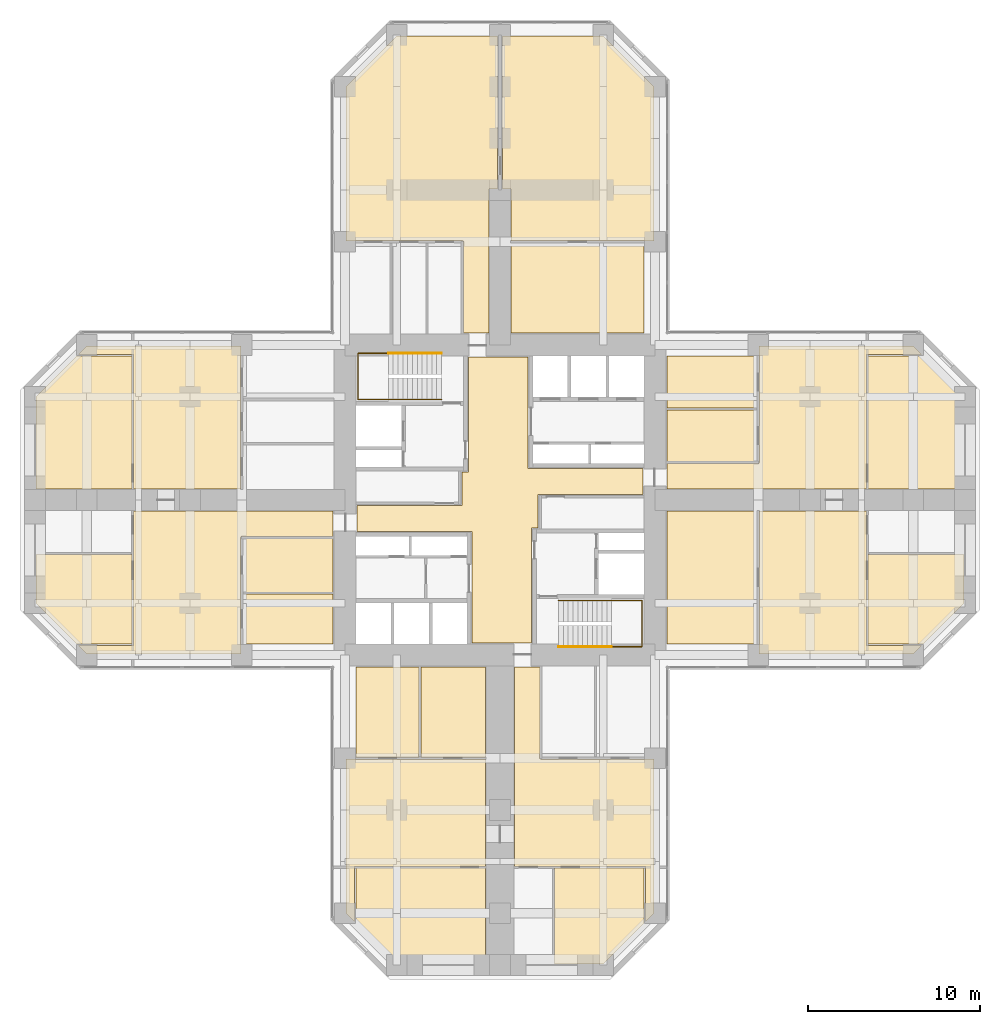
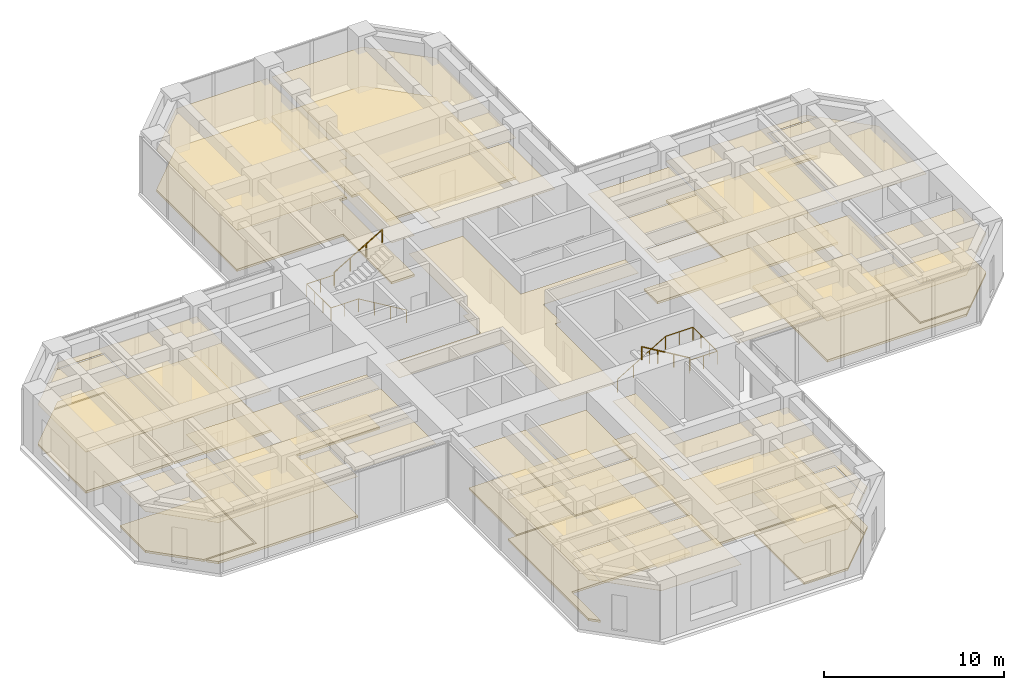
# One storey, part 13 of 13: 37 coverings, 4 railings.
"""IFC4 building model written with IfcOpenShell, lengths in metres."""

from ifc_helpers import new_model, si_unit, direction, frame, origin, origin_2d, place, context, subcontext, project, spatial, polyline, circle, outline, extrude, material, layer, layer_set, constituent, constituent_set, type_object, element, save


model = new_model("IFC4")

# Units and contexts
model_context = context("Model", 3, precision=1e-05, world=origin(), true_north=direction((0.0, 1.0)))
body_context = subcontext(model_context, "Body", "Model", "MODEL_VIEW")
ifc_project = project(units=[si_unit("LENGTHUNIT", "METRE"), si_unit("AREAUNIT", "SQUARE_METRE"), si_unit("VOLUMEUNIT", "CUBIC_METRE"), si_unit("PLANEANGLEUNIT", "RADIAN"), si_unit("MASSUNIT", "GRAM", prefix="KILO")], contexts=[model_context])

# Site, building, storey
site_placement = place(None, origin())
site = spatial("IfcSite", under=ifc_project, at=site_placement, CompositionType="ELEMENT")
building_placement = place(site_placement, origin())
building = spatial("IfcBuilding", under=site, at=building_placement, Name="Torre Cruceta", CompositionType="ELEMENT")
storey_placement = place(building_placement, frame((0.0, 0.0, 51.5)))
storey = spatial("IfcBuildingStorey", under=building, at=storey_placement, Name="L12", CompositionType="ELEMENT", Elevation=51.5)

# Railings
ifc_material_1 = material(Name="Stainless steel 1.4401", Category="steel")
railing_type = type_object("IfcRailingType", Name="HANDRAIL 900", PredefinedType="HANDRAIL", material=ifc_material_1)
railing_1_placement = place(storey_placement, frame((-3.39990234375, 5.8349609375, 0.166748046875)))
element("IfcRailing", 1, at=railing_1_placement, inside=storey, type_object=railing_type, Name="Handrail HR1 ST1 L12", PredefinedType="HANDRAIL", context=body_context, shape_type="SweptSolid", body=[
    extrude(circle(Radius=0.02392578125, at=origin_2d()), frame((0.0, 0.0, 0.8759765625), z_axis=(-0.859308565015, 0.0, 0.511457515432), x_axis=(0.0, -1.0, 0.0)), (0.0, 0.0, 1.0), 3.58447265625),
    extrude(circle(Radius=0.02392578125, at=origin_2d()), frame((-3.080078125, 0.0, 2.708984375), z_axis=(-1.0, 0.0, 0.0), x_axis=(0.0, -1.0, 0.0)), (0.0, 0.0, 1.0), 1.760009765625),
    extrude(circle(Radius=0.02392578125, at=origin_2d()), frame((-4.840087890625, 0.0, 2.708984375), z_axis=(0.0, 1.0, 0.0), x_axis=(-1.0, 0.0, 0.0)), (0.0, 0.0, 1.0), 2.679931640625),
    extrude(circle(Radius=0.02392578125, at=origin_2d()), frame((-4.840087890625, 2.679931640625, 2.708984375), z_axis=(1.0, 0.0, 0.0), x_axis=(0.0, 1.0, 0.0)), (0.0, 0.0, 1.0), 1.760009765625),
    extrude(circle(Radius=0.02099609375, at=origin_2d()), origin(), (0.0, 0.0, 1.0), 0.851806640625),
    extrude(circle(Radius=0.02099609375, at=origin_2d()), frame((-1.026611328125, 0.0, 0.611083984375)), (0.0, 0.0, 1.0), 0.851806640625),
    extrude(circle(Radius=0.02099609375, at=origin_2d()), frame((-2.053466796875, 0.0, 1.22216796875)), (0.0, 0.0, 1.0), 0.851806640625),
    extrude(circle(Radius=0.02099609375, at=origin_2d()), frame((-3.080078125, 0.0, 1.833251953125)), (0.0, 0.0, 1.0), 0.851806640625),
    extrude(circle(Radius=0.02099609375, at=origin_2d()), frame((-3.9599609375, 0.0, 1.833251953125)), (0.0, 0.0, 1.0), 0.851806640625),
    extrude(circle(Radius=0.02099609375, at=origin_2d()), frame((-4.840087890625, 0.0, 1.833251953125)), (0.0, 0.0, 1.0), 0.851806640625),
    extrude(circle(Radius=0.02099609375, at=origin_2d()), frame((-4.840087890625, 0.893310546875, 1.833251953125)), (0.0, 0.0, 1.0), 0.851806640625),
    extrude(circle(Radius=0.02099609375, at=origin_2d()), frame((-4.840087890625, 1.78662109375, 1.833251953125)), (0.0, 0.0, 1.0), 0.851806640625),
    extrude(circle(Radius=0.02099609375, at=origin_2d()), frame((-4.840087890625, 2.679931640625, 1.833251953125)), (0.0, 0.0, 1.0), 0.851806640625),
    extrude(circle(Radius=0.02099609375, at=origin_2d()), frame((-3.9599609375, 2.679931640625, 1.833251953125)), (0.0, 0.0, 1.0), 0.851806640625),
    extrude(circle(Radius=0.02099609375, at=origin_2d()), frame((-3.080078125, 2.679931640625, 1.833251953125)), (0.0, 0.0, 1.0), 0.851806640625),
])
railing_2_placement = place(storey_placement, frame((-6.47998046875, 8.514892578125, 2.166748046875)))
element("IfcRailing", 2, at=railing_2_placement, inside=storey, type_object=railing_type, Name="Handrail HR1 ST1 L12", PredefinedType="HANDRAIL", context=body_context, shape_type="SweptSolid", body=[
    extrude(circle(Radius=0.02392578125, at=origin_2d()), frame((0.0, 0.0, 0.8759765625), z_axis=(0.859308565015, 0.0, 0.511457515432), x_axis=(0.0, 1.0, 0.0)), (0.0, 0.0, 1.0), 3.58447265625),
    extrude(circle(Radius=0.02099609375, at=origin_2d()), origin(), (0.0, 0.0, 1.0), 0.851806640625),
    extrude(circle(Radius=0.02099609375, at=origin_2d()), frame((1.026611328125, 0.0, 0.611083984375)), (0.0, 0.0, 1.0), 0.851806640625),
    extrude(circle(Radius=0.02099609375, at=origin_2d()), frame((2.053466796875, 0.0, 1.22216796875)), (0.0, 0.0, 1.0), 0.851806640625),
    extrude(circle(Radius=0.02099609375, at=origin_2d()), frame((3.080078125, 0.0, 1.833251953125)), (0.0, 0.0, 1.0), 0.851806640625),
])
railing_3_placement = place(storey_placement, frame((3.39990234375, -5.8349609375, 0.166748046875)))
element("IfcRailing", 3, at=railing_3_placement, inside=storey, type_object=railing_type, Name="Handrail HR1 ST2 L12", PredefinedType="HANDRAIL", context=body_context, shape_type="SweptSolid", body=[
    extrude(circle(Radius=0.02392578125, at=origin_2d()), frame((0.0, 0.0, 0.8759765625), z_axis=(0.859308565015, 0.0, 0.511457515432), x_axis=(0.0, 1.0, 0.0)), (0.0, 0.0, 1.0), 3.58447265625),
    extrude(circle(Radius=0.02392578125, at=origin_2d()), frame((3.080078125, 0.0, 2.708984375), z_axis=(1.0, 0.0, 0.0), x_axis=(0.0, 1.0, 0.0)), (0.0, 0.0, 1.0), 1.760009765625),
    extrude(circle(Radius=0.02392578125, at=origin_2d()), frame((4.840087890625, 0.0, 2.708984375), z_axis=(0.0, -1.0, 0.0), x_axis=(1.0, 0.0, 0.0)), (0.0, 0.0, 1.0), 2.679931640625),
    extrude(circle(Radius=0.02392578125, at=origin_2d()), frame((4.840087890625, -2.679931640625, 2.708984375), z_axis=(-1.0, 0.0, 0.0), x_axis=(0.0, -1.0, 0.0)), (0.0, 0.0, 1.0), 1.760009765625),
    extrude(circle(Radius=0.02099609375, at=origin_2d()), origin(), (0.0, 0.0, 1.0), 0.851806640625),
    extrude(circle(Radius=0.02099609375, at=origin_2d()), frame((1.026611328125, 0.0, 0.611083984375)), (0.0, 0.0, 1.0), 0.851806640625),
    extrude(circle(Radius=0.02099609375, at=origin_2d()), frame((2.053466796875, 0.0, 1.22216796875)), (0.0, 0.0, 1.0), 0.851806640625),
    extrude(circle(Radius=0.02099609375, at=origin_2d()), frame((3.080078125, 0.0, 1.833251953125)), (0.0, 0.0, 1.0), 0.851806640625),
    extrude(circle(Radius=0.02099609375, at=origin_2d()), frame((3.9599609375, 0.0, 1.833251953125)), (0.0, 0.0, 1.0), 0.851806640625),
    extrude(circle(Radius=0.02099609375, at=origin_2d()), frame((4.840087890625, 0.0, 1.833251953125)), (0.0, 0.0, 1.0), 0.851806640625),
    extrude(circle(Radius=0.02099609375, at=origin_2d()), frame((4.840087890625, -0.893310546875, 1.833251953125)), (0.0, 0.0, 1.0), 0.851806640625),
    extrude(circle(Radius=0.02099609375, at=origin_2d()), frame((4.840087890625, -1.78662109375, 1.833251953125)), (0.0, 0.0, 1.0), 0.851806640625),
    extrude(circle(Radius=0.02099609375, at=origin_2d()), frame((4.840087890625, -2.679931640625, 1.833251953125)), (0.0, 0.0, 1.0), 0.851806640625),
    extrude(circle(Radius=0.02099609375, at=origin_2d()), frame((3.9599609375, -2.679931640625, 1.833251953125)), (0.0, 0.0, 1.0), 0.851806640625),
    extrude(circle(Radius=0.02099609375, at=origin_2d()), frame((3.080078125, -2.679931640625, 1.833251953125)), (0.0, 0.0, 1.0), 0.851806640625),
])
railing_4_placement = place(storey_placement, frame((6.47998046875, -8.514892578125, 2.166748046875)))
element("IfcRailing", 4, at=railing_4_placement, inside=storey, type_object=railing_type, Name="Handrail HR1 ST2 L12", PredefinedType="HANDRAIL", context=body_context, shape_type="SweptSolid", body=[
    extrude(circle(Radius=0.02392578125, at=origin_2d()), frame((0.0, 0.0, 0.8759765625), z_axis=(-0.859308565015, 0.0, 0.511457515432), x_axis=(0.0, -1.0, 0.0)), (0.0, 0.0, 1.0), 3.58447265625),
    extrude(circle(Radius=0.02099609375, at=origin_2d()), origin(), (0.0, 0.0, 1.0), 0.851806640625),
    extrude(circle(Radius=0.02099609375, at=origin_2d()), frame((-1.026611328125, 0.0, 0.611083984375)), (0.0, 0.0, 1.0), 0.851806640625),
    extrude(circle(Radius=0.02099609375, at=origin_2d()), frame((-2.053466796875, 0.0, 1.22216796875)), (0.0, 0.0, 1.0), 0.851806640625),
    extrude(circle(Radius=0.02099609375, at=origin_2d()), frame((-3.080078125, 0.0, 1.833251953125)), (0.0, 0.0, 1.0), 0.851806640625),
])

# Coverings
ifc_material_2 = material(Name="Steel DX51D", Category="steel")
ifc_constituent_1 = constituent(ifc_material_2, Name="Panel casing")
ifc_material_3 = material(Name="Calcium sulphate", Category="gypsum")
ifc_constituent_2 = constituent(ifc_material_3, Name="Panel core")
ifc_constituent_set = constituent_set(constituents=[ifc_constituent_1, ifc_constituent_2], Name="Raised access floor panel")
covering_type_1 = type_object("IfcCoveringType", Name="RAISED ACCESS FLOOR 150", PredefinedType="FLOORING", material=ifc_constituent_set)
covering_1_placement = place(storey_placement, origin())
element("IfcCovering", 5, at=covering_1_placement, inside=storey, type_object=covering_type_1, Name="Raised floor L12-029", PredefinedType="FLOORING", context=body_context, shape_type="SweptSolid", body=[
    extrude(outline(polyline([(-0.14990234375, 26.949951171875), (-0.14990234375, 18.050048828125), (-0.64990234375, 18.050048828125), (-0.64990234375, 9.699951171875), (-2.125, 9.699951171875), (-2.125, 15.050048828125), (-8.949951171875, 15.050048828125), (-8.949951171875, 23.979248046875), (-5.979248046875, 26.949951171875), (-0.14990234375, 26.949951171875)])), origin(), (0.0, 0.0, 1.0), 0.14990234375),
])
covering_2_placement = place(storey_placement, origin())
element("IfcCovering", 6, at=covering_2_placement, inside=storey, type_object=covering_type_1, Name="Raised floor L12-030", PredefinedType="FLOORING", context=body_context, shape_type="SweptSolid", body=[
    extrude(outline(polyline([(5.979248046875, 26.949951171875), (8.949951171875, 23.979248046875), (8.949951171875, 15.050048828125), (0.64990234375, 15.050048828125), (0.64990234375, 18.050048828125), (0.14990234375, 18.050048828125), (0.14990234375, 26.949951171875), (5.979248046875, 26.949951171875)])), origin(), (0.0, 0.0, 1.0), 0.14990234375),
])
covering_3_placement = place(storey_placement, origin())
element("IfcCovering", 7, at=covering_3_placement, inside=storey, type_object=covering_type_1, Name="Raised floor L12-036", PredefinedType="FLOORING", context=body_context, shape_type="SweptSolid", body=[
    extrude(outline(polyline([(24.579345703125, -8.35009765625), (21.3701171875, -8.35009765625), (21.3701171875, -3.16796875), (26.949951171875, -3.16796875), (26.949951171875, -5.979248046875), (24.579345703125, -8.35009765625)])), origin(), (0.0, 0.0, 1.0), 0.14990234375),
])
covering_4_placement = place(storey_placement, origin())
element("IfcCovering", 8, at=covering_4_placement, inside=storey, type_object=covering_type_1, Name="Raised floor L12-037", PredefinedType="FLOORING", context=body_context, shape_type="SweptSolid", body=[
    extrude(outline(polyline([(9.699951171875, 2.125), (15.050048828125, 2.125), (15.050048828125, 8.949951171875), (23.979248046875, 8.949951171875), (24.479248046875, 8.449951171875), (21.27001953125, 8.449951171875), (21.27001953125, 0.64990234375), (9.699951171875, 0.64990234375), (9.699951171875, 2.125)])), origin(), (0.0, 0.0, 1.0), 0.14990234375),
])
covering_5_placement = place(storey_placement, origin())
element("IfcCovering", 9, at=covering_5_placement, inside=storey, type_object=covering_type_1, Name="Raised floor L12-038", PredefinedType="FLOORING", context=body_context, shape_type="SweptSolid", body=[
    extrude(outline(polyline([(15.050048828125, -8.949951171875), (15.050048828125, -0.64990234375), (21.27001953125, -0.64990234375), (21.27001953125, -8.449951171875), (24.479248046875, -8.449951171875), (23.979248046875, -8.949951171875), (15.050048828125, -8.949951171875)])), origin(), (0.0, 0.0, 1.0), 0.14990234375),
])
covering_6_placement = place(storey_placement, origin())
element("IfcCovering", 10, at=covering_6_placement, inside=storey, type_object=covering_type_1, Name="Raised floor L12-041", PredefinedType="FLOORING", context=body_context, shape_type="SweptSolid", body=[
    extrude(outline(polyline([(-4.60009765625, -9.699951171875), (-0.85009765625, -9.699951171875), (-0.85009765625, -14.949951171875), (-4.60009765625, -14.949951171875), (-4.60009765625, -9.699951171875)])), origin(), (0.0, 0.0, 1.0), 0.14990234375),
])
covering_7_placement = place(storey_placement, origin())
element("IfcCovering", 11, at=covering_7_placement, inside=storey, type_object=covering_type_1, Name="Raised floor L12-042", PredefinedType="FLOORING", context=body_context, shape_type="SweptSolid", body=[
    extrude(outline(polyline([(-8.35009765625, -9.699951171875), (-4.699951171875, -9.699951171875), (-4.699951171875, -14.949951171875), (-8.35009765625, -14.949951171875), (-8.35009765625, -9.699951171875)])), origin(), (0.0, 0.0, 1.0), 0.14990234375),
])
covering_8_placement = place(storey_placement, origin())
element("IfcCovering", 12, at=covering_8_placement, inside=storey, type_object=covering_type_1, Name="Raised floor L12-044", PredefinedType="FLOORING", context=body_context, shape_type="SweptSolid", body=[
    extrude(outline(polyline([(3.16796875, -26.949951171875), (3.16796875, -21.3701171875), (8.35009765625, -21.3701171875), (8.35009765625, -24.579345703125), (5.979248046875, -26.949951171875), (3.16796875, -26.949951171875)])), origin(), (0.0, 0.0, 1.0), 0.14990234375),
])
covering_9_placement = place(storey_placement, origin())
element("IfcCovering", 13, at=covering_9_placement, inside=storey, type_object=covering_type_1, Name="Raised floor L12-046", PredefinedType="FLOORING", context=body_context, shape_type="SweptSolid", body=[
    extrude(outline(polyline([(2.324951171875, -9.699951171875), (2.324951171875, -15.050048828125), (8.949951171875, -15.050048828125), (8.949951171875, -23.979248046875), (8.449951171875, -24.479248046875), (8.449951171875, -21.27001953125), (0.85009765625, -21.27001953125), (0.85009765625, -9.699951171875), (2.324951171875, -9.699951171875)])), origin(), (0.0, 0.0, 1.0), 0.14990234375),
])
covering_10_placement = place(storey_placement, origin())
element("IfcCovering", 14, at=covering_10_placement, inside=storey, type_object=covering_type_1, Name="Raised floor L12-047", PredefinedType="FLOORING", context=body_context, shape_type="SweptSolid", body=[
    extrude(outline(polyline([(-8.949951171875, -15.050048828125), (-0.85009765625, -15.050048828125), (-0.85009765625, -21.27001953125), (-8.449951171875, -21.27001953125), (-8.449951171875, -24.479248046875), (-8.949951171875, -23.979248046875), (-8.949951171875, -15.050048828125)])), origin(), (0.0, 0.0, 1.0), 0.14990234375),
])
covering_11_placement = place(storey_placement, origin())
element("IfcCovering", 15, at=covering_11_placement, inside=storey, type_object=covering_type_1, Name="Raised floor L12-054", PredefinedType="FLOORING", context=body_context, shape_type="SweptSolid", body=[
    extrude(outline(polyline([(-26.949951171875, -3.16796875), (-21.3701171875, -3.16796875), (-21.3701171875, -8.35009765625), (-24.579345703125, -8.35009765625), (-26.949951171875, -5.979248046875), (-26.949951171875, -3.16796875)])), origin(), (0.0, 0.0, 1.0), 0.14990234375),
])
covering_12_placement = place(storey_placement, origin())
element("IfcCovering", 16, at=covering_12_placement, inside=storey, type_object=covering_type_1, Name="Raised floor L12-055", PredefinedType="FLOORING", context=body_context, shape_type="SweptSolid", body=[
    extrude(outline(polyline([(-24.579345703125, 8.35009765625), (-21.3701171875, 8.35009765625), (-21.3701171875, 0.64990234375), (-26.949951171875, 0.64990234375), (-26.949951171875, 5.979248046875), (-24.579345703125, 8.35009765625)])), origin(), (0.0, 0.0, 1.0), 0.14990234375),
])
covering_13_placement = place(storey_placement, origin())
element("IfcCovering", 17, at=covering_13_placement, inside=storey, type_object=covering_type_1, Name="Raised floor L12-056", PredefinedType="FLOORING", context=body_context, shape_type="SweptSolid", body=[
    extrude(outline(polyline([(-9.699951171875, -2.125), (-15.050048828125, -2.125), (-15.050048828125, -8.949951171875), (-23.979248046875, -8.949951171875), (-24.479248046875, -8.449951171875), (-21.27001953125, -8.449951171875), (-21.27001953125, -0.64990234375), (-9.699951171875, -0.64990234375), (-9.699951171875, -2.125)])), origin(), (0.0, 0.0, 1.0), 0.14990234375),
])
covering_14_placement = place(storey_placement, origin())
element("IfcCovering", 18, at=covering_14_placement, inside=storey, type_object=covering_type_1, Name="Raised floor L12-057", PredefinedType="FLOORING", context=body_context, shape_type="SweptSolid", body=[
    extrude(outline(polyline([(-15.050048828125, 8.949951171875), (-15.050048828125, 0.64990234375), (-21.27001953125, 0.64990234375), (-21.27001953125, 8.449951171875), (-24.479248046875, 8.449951171875), (-23.979248046875, 8.949951171875), (-15.050048828125, 8.949951171875)])), origin(), (0.0, 0.0, 1.0), 0.14990234375),
])
ifc_material_4 = material(Name="Mineral fibre ceiling tile", Category="gypsum")
ifc_layer = layer(ifc_material_4, 0.02001953125)
ifc_layer_set = layer_set([ifc_layer], Name="Mineral fibre ceiling tile")
covering_type_2 = type_object("IfcCoveringType", Name="SUSPENDED CEILING 20", PredefinedType="CEILING", material=ifc_layer_set)
covering_15_placement = place(storey_placement, frame((0.0, 0.0, 2.780029296875)))
element("IfcCovering", 19, at=covering_15_placement, inside=storey, type_object=covering_type_2, Name="Ceiling L12-001", PredefinedType="CEILING", context=body_context, shape_type="SweptSolid", body=[
    extrude(outline(polyline([(1.824951171875, -8.300048828125), (-1.625, -8.300048828125), (-1.625, -1.824951171875), (-8.300048828125, -1.824951171875), (-8.300048828125, -0.324951171875), (-2.199951171875, -0.324951171875), (-2.199951171875, 1.625), (-1.824951171875, 1.625), (-1.824951171875, 8.300048828125), (1.625, 8.300048828125), (1.625, 1.824951171875), (8.300048828125, 1.824951171875), (8.300048828125, 0.324951171875), (2.199951171875, 0.324951171875), (2.199951171875, -1.625), (1.824951171875, -1.625), (1.824951171875, -8.300048828125)])), origin(), (0.0, 0.0, 1.0), 0.02001953125),
])
covering_16_placement = place(storey_placement, frame((0.0, 0.0, 2.780029296875)))
element("IfcCovering", 20, at=covering_16_placement, inside=storey, type_object=covering_type_2, Name="Ceiling L12-028", PredefinedType="CEILING", context=body_context, shape_type="SweptSolid", body=[
    extrude(outline(polyline([(8.35009765625, 9.699951171875), (0.64990234375, 9.699951171875), (0.64990234375, 14.949951171875), (8.35009765625, 14.949951171875), (8.35009765625, 9.699951171875)])), origin(), (0.0, 0.0, 1.0), 0.02001953125),
])
covering_17_placement = place(storey_placement, frame((0.0, 0.0, 2.780029296875)))
element("IfcCovering", 21, at=covering_17_placement, inside=storey, type_object=covering_type_2, Name="Ceiling L12-029", PredefinedType="CEILING", context=body_context, shape_type="SweptSolid", body=[
    extrude(outline(polyline([(-0.14990234375, 26.949951171875), (-0.14990234375, 18.050048828125), (-0.64990234375, 18.050048828125), (-0.64990234375, 9.699951171875), (-2.125, 9.699951171875), (-2.125, 15.050048828125), (-8.949951171875, 15.050048828125), (-8.949951171875, 23.979248046875), (-5.979248046875, 26.949951171875), (-0.14990234375, 26.949951171875)])), origin(), (0.0, 0.0, 1.0), 0.02001953125),
])
covering_18_placement = place(storey_placement, frame((0.0, 0.0, 2.780029296875)))
element("IfcCovering", 22, at=covering_18_placement, inside=storey, type_object=covering_type_2, Name="Ceiling L12-030", PredefinedType="CEILING", context=body_context, shape_type="SweptSolid", body=[
    extrude(outline(polyline([(5.979248046875, 26.949951171875), (8.949951171875, 23.979248046875), (8.949951171875, 15.050048828125), (0.64990234375, 15.050048828125), (0.64990234375, 18.050048828125), (0.14990234375, 18.050048828125), (0.14990234375, 26.949951171875), (5.979248046875, 26.949951171875)])), origin(), (0.0, 0.0, 1.0), 0.02001953125),
])
covering_19_placement = place(storey_placement, frame((0.0, 0.0, 2.780029296875)))
element("IfcCovering", 23, at=covering_19_placement, inside=storey, type_object=covering_type_2, Name="Ceiling L12-031", PredefinedType="CEILING", context=body_context, shape_type="SweptSolid", body=[
    extrude(outline(polyline([(9.699951171875, 2.22509765625), (9.699951171875, 5.237548828125), (14.949951171875, 5.237548828125), (14.949951171875, 2.22509765625), (9.699951171875, 2.22509765625)])), origin(), (0.0, 0.0, 1.0), 0.02001953125),
])
covering_20_placement = place(storey_placement, frame((0.0, 0.0, 2.780029296875)))
element("IfcCovering", 24, at=covering_20_placement, inside=storey, type_object=covering_type_2, Name="Ceiling L12-032", PredefinedType="CEILING", context=body_context, shape_type="SweptSolid", body=[
    extrude(outline(polyline([(9.699951171875, 5.33740234375), (9.699951171875, 8.35009765625), (14.949951171875, 8.35009765625), (14.949951171875, 5.33740234375), (9.699951171875, 5.33740234375)])), origin(), (0.0, 0.0, 1.0), 0.02001953125),
])
covering_21_placement = place(storey_placement, frame((0.0, 0.0, 2.780029296875)))
element("IfcCovering", 25, at=covering_21_placement, inside=storey, type_object=covering_type_2, Name="Ceiling L12-033", PredefinedType="CEILING", context=body_context, shape_type="SweptSolid", body=[
    extrude(outline(polyline([(9.699951171875, -8.35009765625), (9.699951171875, -0.64990234375), (14.949951171875, -0.64990234375), (14.949951171875, -8.35009765625), (9.699951171875, -8.35009765625)])), origin(), (0.0, 0.0, 1.0), 0.02001953125),
])
covering_22_placement = place(storey_placement, frame((0.0, 0.0, 2.780029296875)))
element("IfcCovering", 26, at=covering_22_placement, inside=storey, type_object=covering_type_2, Name="Ceiling L12-034", PredefinedType="CEILING", context=body_context, shape_type="SweptSolid", body=[
    extrude(outline(polyline([(26.949951171875, 0.64990234375), (21.3701171875, 0.64990234375), (21.3701171875, 8.35009765625), (24.579345703125, 8.35009765625), (26.949951171875, 5.979248046875), (26.949951171875, 0.64990234375)])), origin(), (0.0, 0.0, 1.0), 0.02001953125),
])
covering_23_placement = place(storey_placement, frame((0.0, 0.0, 2.780029296875)))
element("IfcCovering", 27, at=covering_23_placement, inside=storey, type_object=covering_type_2, Name="Ceiling L12-036", PredefinedType="CEILING", context=body_context, shape_type="SweptSolid", body=[
    extrude(outline(polyline([(24.579345703125, -8.35009765625), (21.3701171875, -8.35009765625), (21.3701171875, -3.16796875), (26.949951171875, -3.16796875), (26.949951171875, -5.979248046875), (24.579345703125, -8.35009765625)])), origin(), (0.0, 0.0, 1.0), 0.02001953125),
])
covering_24_placement = place(storey_placement, frame((0.0, 0.0, 2.780029296875)))
element("IfcCovering", 28, at=covering_24_placement, inside=storey, type_object=covering_type_2, Name="Ceiling L12-037", PredefinedType="CEILING", context=body_context, shape_type="SweptSolid", body=[
    extrude(outline(polyline([(9.699951171875, 2.125), (15.050048828125, 2.125), (15.050048828125, 8.949951171875), (23.979248046875, 8.949951171875), (24.479248046875, 8.449951171875), (21.27001953125, 8.449951171875), (21.27001953125, 0.64990234375), (9.699951171875, 0.64990234375), (9.699951171875, 2.125)])), origin(), (0.0, 0.0, 1.0), 0.02001953125),
])
covering_25_placement = place(storey_placement, frame((0.0, 0.0, 2.780029296875)))
element("IfcCovering", 29, at=covering_25_placement, inside=storey, type_object=covering_type_2, Name="Ceiling L12-038", PredefinedType="CEILING", context=body_context, shape_type="SweptSolid", body=[
    extrude(outline(polyline([(15.050048828125, -8.949951171875), (15.050048828125, -0.64990234375), (21.27001953125, -0.64990234375), (21.27001953125, -8.449951171875), (24.479248046875, -8.449951171875), (23.979248046875, -8.949951171875), (15.050048828125, -8.949951171875)])), origin(), (0.0, 0.0, 1.0), 0.02001953125),
])
covering_26_placement = place(storey_placement, frame((0.0, 0.0, 2.780029296875)))
element("IfcCovering", 30, at=covering_26_placement, inside=storey, type_object=covering_type_2, Name="Ceiling L12-041", PredefinedType="CEILING", context=body_context, shape_type="SweptSolid", body=[
    extrude(outline(polyline([(-4.60009765625, -9.699951171875), (-0.85009765625, -9.699951171875), (-0.85009765625, -14.949951171875), (-4.60009765625, -14.949951171875), (-4.60009765625, -9.699951171875)])), origin(), (0.0, 0.0, 1.0), 0.02001953125),
])
covering_27_placement = place(storey_placement, frame((0.0, 0.0, 2.780029296875)))
element("IfcCovering", 31, at=covering_27_placement, inside=storey, type_object=covering_type_2, Name="Ceiling L12-042", PredefinedType="CEILING", context=body_context, shape_type="SweptSolid", body=[
    extrude(outline(polyline([(-8.35009765625, -9.699951171875), (-4.699951171875, -9.699951171875), (-4.699951171875, -14.949951171875), (-8.35009765625, -14.949951171875), (-8.35009765625, -9.699951171875)])), origin(), (0.0, 0.0, 1.0), 0.02001953125),
])
covering_28_placement = place(storey_placement, frame((0.0, 0.0, 2.780029296875)))
element("IfcCovering", 32, at=covering_28_placement, inside=storey, type_object=covering_type_2, Name="Ceiling L12-044", PredefinedType="CEILING", context=body_context, shape_type="SweptSolid", body=[
    extrude(outline(polyline([(3.16796875, -26.949951171875), (3.16796875, -21.3701171875), (8.35009765625, -21.3701171875), (8.35009765625, -24.579345703125), (5.979248046875, -26.949951171875), (3.16796875, -26.949951171875)])), origin(), (0.0, 0.0, 1.0), 0.02001953125),
])
covering_29_placement = place(storey_placement, frame((0.0, 0.0, 2.780029296875)))
element("IfcCovering", 33, at=covering_29_placement, inside=storey, type_object=covering_type_2, Name="Ceiling L12-045", PredefinedType="CEILING", context=body_context, shape_type="SweptSolid", body=[
    extrude(outline(polyline([(-8.35009765625, -24.579345703125), (-8.35009765625, -21.3701171875), (-0.85009765625, -21.3701171875), (-0.85009765625, -26.949951171875), (-5.979248046875, -26.949951171875), (-8.35009765625, -24.579345703125)])), origin(), (0.0, 0.0, 1.0), 0.02001953125),
])
covering_30_placement = place(storey_placement, frame((0.0, 0.0, 2.780029296875)))
element("IfcCovering", 34, at=covering_30_placement, inside=storey, type_object=covering_type_2, Name="Ceiling L12-046", PredefinedType="CEILING", context=body_context, shape_type="SweptSolid", body=[
    extrude(outline(polyline([(2.324951171875, -9.699951171875), (2.324951171875, -15.050048828125), (8.949951171875, -15.050048828125), (8.949951171875, -23.979248046875), (8.449951171875, -24.479248046875), (8.449951171875, -21.27001953125), (0.85009765625, -21.27001953125), (0.85009765625, -9.699951171875), (2.324951171875, -9.699951171875)])), origin(), (0.0, 0.0, 1.0), 0.02001953125),
])
covering_31_placement = place(storey_placement, frame((0.0, 0.0, 2.780029296875)))
element("IfcCovering", 35, at=covering_31_placement, inside=storey, type_object=covering_type_2, Name="Ceiling L12-047", PredefinedType="CEILING", context=body_context, shape_type="SweptSolid", body=[
    extrude(outline(polyline([(-8.949951171875, -15.050048828125), (-0.85009765625, -15.050048828125), (-0.85009765625, -21.27001953125), (-8.449951171875, -21.27001953125), (-8.449951171875, -24.479248046875), (-8.949951171875, -23.979248046875), (-8.949951171875, -15.050048828125)])), origin(), (0.0, 0.0, 1.0), 0.02001953125),
])
covering_32_placement = place(storey_placement, frame((0.0, 0.0, 2.780029296875)))
element("IfcCovering", 36, at=covering_32_placement, inside=storey, type_object=covering_type_2, Name="Ceiling L12-048", PredefinedType="CEILING", context=body_context, shape_type="SweptSolid", body=[
    extrude(outline(polyline([(-9.699951171875, -2.22509765625), (-9.699951171875, -5.362060546875), (-14.949951171875, -5.362060546875), (-14.949951171875, -2.22509765625), (-9.699951171875, -2.22509765625)])), origin(), (0.0, 0.0, 1.0), 0.02001953125),
])
covering_33_placement = place(storey_placement, frame((0.0, 0.0, 2.780029296875)))
element("IfcCovering", 37, at=covering_33_placement, inside=storey, type_object=covering_type_2, Name="Ceiling L12-049", PredefinedType="CEILING", context=body_context, shape_type="SweptSolid", body=[
    extrude(outline(polyline([(-9.699951171875, -5.4619140625), (-9.699951171875, -8.35009765625), (-14.949951171875, -8.35009765625), (-14.949951171875, -5.4619140625), (-9.699951171875, -5.4619140625)])), origin(), (0.0, 0.0, 1.0), 0.02001953125),
])
covering_34_placement = place(storey_placement, frame((0.0, 0.0, 2.780029296875)))
element("IfcCovering", 38, at=covering_34_placement, inside=storey, type_object=covering_type_2, Name="Ceiling L12-054", PredefinedType="CEILING", context=body_context, shape_type="SweptSolid", body=[
    extrude(outline(polyline([(-26.949951171875, -3.16796875), (-21.3701171875, -3.16796875), (-21.3701171875, -8.35009765625), (-24.579345703125, -8.35009765625), (-26.949951171875, -5.979248046875), (-26.949951171875, -3.16796875)])), origin(), (0.0, 0.0, 1.0), 0.02001953125),
])
covering_35_placement = place(storey_placement, frame((0.0, 0.0, 2.780029296875)))
element("IfcCovering", 39, at=covering_35_placement, inside=storey, type_object=covering_type_2, Name="Ceiling L12-055", PredefinedType="CEILING", context=body_context, shape_type="SweptSolid", body=[
    extrude(outline(polyline([(-24.579345703125, 8.35009765625), (-21.3701171875, 8.35009765625), (-21.3701171875, 0.64990234375), (-26.949951171875, 0.64990234375), (-26.949951171875, 5.979248046875), (-24.579345703125, 8.35009765625)])), origin(), (0.0, 0.0, 1.0), 0.02001953125),
])
covering_36_placement = place(storey_placement, frame((0.0, 0.0, 2.780029296875)))
element("IfcCovering", 40, at=covering_36_placement, inside=storey, type_object=covering_type_2, Name="Ceiling L12-056", PredefinedType="CEILING", context=body_context, shape_type="SweptSolid", body=[
    extrude(outline(polyline([(-9.699951171875, -2.125), (-15.050048828125, -2.125), (-15.050048828125, -8.949951171875), (-23.979248046875, -8.949951171875), (-24.479248046875, -8.449951171875), (-21.27001953125, -8.449951171875), (-21.27001953125, -0.64990234375), (-9.699951171875, -0.64990234375), (-9.699951171875, -2.125)])), origin(), (0.0, 0.0, 1.0), 0.02001953125),
])
covering_37_placement = place(storey_placement, frame((0.0, 0.0, 2.780029296875)))
element("IfcCovering", 41, at=covering_37_placement, inside=storey, type_object=covering_type_2, Name="Ceiling L12-057", PredefinedType="CEILING", context=body_context, shape_type="SweptSolid", body=[
    extrude(outline(polyline([(-15.050048828125, 8.949951171875), (-15.050048828125, 0.64990234375), (-21.27001953125, 0.64990234375), (-21.27001953125, 8.449951171875), (-24.479248046875, 8.449951171875), (-23.979248046875, 8.949951171875), (-15.050048828125, 8.949951171875)])), origin(), (0.0, 0.0, 1.0), 0.02001953125),
])

save(model, "model.ifc")
